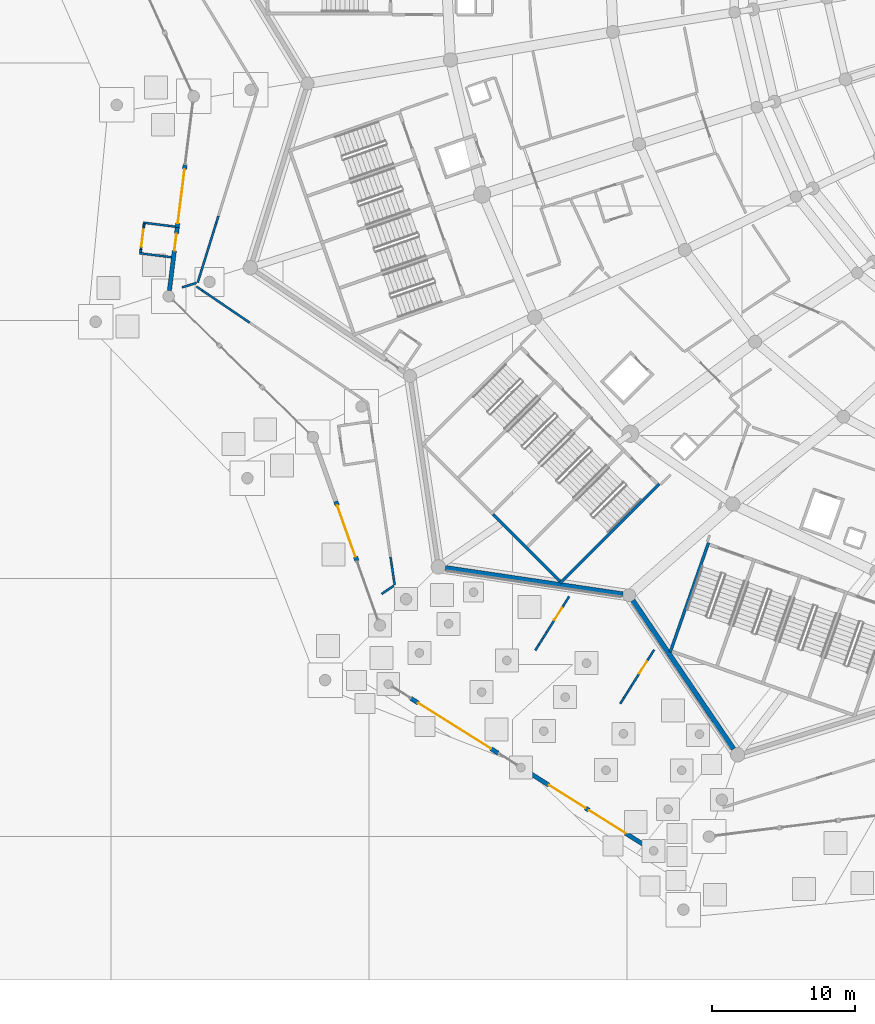
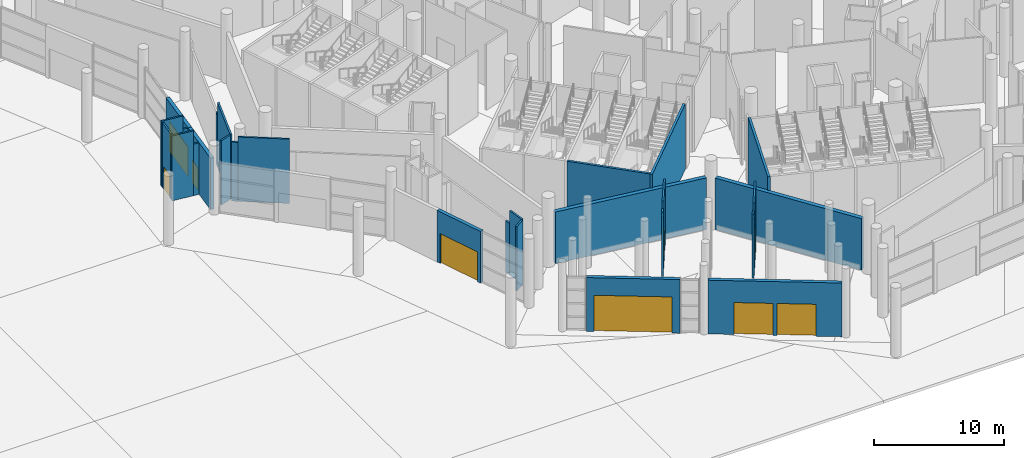
# One storey, part 100 of 255: 33 walls, 9 doors, 9 openings.
"""IFC4 building model written with IfcOpenShell, lengths in metres."""

from ifc_helpers import new_model, si_unit, direction, frame, frame_2d, origin, place, context, subcontext, project, spatial, rectangle, extrude, material, layer, layer_set, type_object, element, fill, save


model = new_model("IFC4")

# Units and contexts
model_context = context("Model", 3, precision=1e-05, world=origin(), true_north=direction((0.0, 1.0)))
body_context = subcontext(model_context, "Body", "Model", "MODEL_VIEW")
ifc_project = project(units=[si_unit("LENGTHUNIT", "METRE"), si_unit("AREAUNIT", "SQUARE_METRE"), si_unit("VOLUMEUNIT", "CUBIC_METRE"), si_unit("PLANEANGLEUNIT", "RADIAN"), si_unit("MASSUNIT", "GRAM", prefix="KILO")], contexts=[model_context])

# Site, building, storey
site_placement = place(None, origin())
site = spatial("IfcSite", under=ifc_project, at=site_placement, CompositionType="ELEMENT")
building_placement = place(site_placement, origin())
building = spatial("IfcBuilding", under=site, at=building_placement, Name="Meseta Stadium", CompositionType="ELEMENT")
storey_placement = place(building_placement, origin())
storey = spatial("IfcBuildingStorey", under=building, at=storey_placement, Name="L00", CompositionType="ELEMENT", Elevation=0.0)

# Walls
ifc_material_1 = material(Name="Concrete C40/50", Category="concrete")
ifc_layer_1 = layer(ifc_material_1, 0.199951171875)
ifc_layer_set_1 = layer_set([ifc_layer_1], Name="Core shaft wall 200")
wall_type_1 = type_object("IfcWallType", Name="Core shaft wall 200", PredefinedType="SHEAR", material=ifc_layer_set_1)
wall_1_placement = place(storey_placement, frame((-76.6884765625, -90.30517578125, 0.0), z_axis=(0.0, 0.0, 1.0), x_axis=(0.707106781187, 0.707106781187, 0.0)))
element("IfcWall", 1, at=wall_1_placement, inside=storey, type_object=wall_type_1, Name="Core 21 L00 stair wall B-side", PredefinedType="SHEAR", context=body_context, shape_type="SweptSolid", body=[
    extrude(rectangle(XDim=9.800048828125, YDim=0.199951171875, at=frame_2d((4.89990234375, 0.0))), origin(), (0.0, 0.0, 1.0), 6.14990234375),
])
wall_2_placement = place(storey_placement, frame((-81.355224609375, -85.496826171875, 0.0), z_axis=(0.0, 0.0, 1.0), x_axis=(0.707088285305, -0.707125276584, 0.0)))
element("IfcWall", 2, at=wall_2_placement, inside=storey, type_object=wall_type_1, Name="Core 21 L00 stair B outer end wall", PredefinedType="SHEAR", context=body_context, shape_type="SweptSolid", body=[
    extrude(rectangle(XDim=6.599853515625, YDim=0.199951171875, at=frame_2d((3.2998046875, 0.0))), origin(), (0.0, 0.0, 1.0), 6.14990234375),
])
wall_3_placement = place(storey_placement, frame((-68.998291015625, -95.136962890625, 0.0), z_axis=(0.0, 0.0, 1.0), x_axis=(0.330263153216, 0.943888896866, 0.0)))
element("IfcWall", 3, at=wall_3_placement, inside=storey, type_object=wall_type_1, Name="Core 22 L00 stair wall A-side", PredefinedType="SHEAR", context=body_context, shape_type="SweptSolid", body=[
    extrude(rectangle(XDim=8.099853515625, YDim=0.199951171875, at=frame_2d((4.0498046875, 0.0))), origin(), (0.0, 0.0, 1.0), 6.14990234375),
])

# Wall, opening, door
ifc_material_2 = material(Name="Precast concrete C40/50", Category="concrete")
ifc_layer_2 = layer(ifc_material_2, 0.300048828125)
ifc_layer_set_2 = layer_set([ifc_layer_2], Name="Gate facade panel wall 300")
wall_type_2 = type_object("IfcWallType", Name="Gate facade panel wall 300", PredefinedType="SOLIDWALL", material=ifc_layer_set_2)
wall_4_placement = place(storey_placement, frame((-80.9921875, -102.18115234375, 0.0), z_axis=(0.0, 0.0, 1.0), x_axis=(-0.846713800268, 0.532048626006, 0.0)))
wall_4 = element("IfcWall", 4, at=wall_4_placement, inside=storey, type_object=wall_type_2, Name="Gate 6 entrance wall", PredefinedType="SOLIDWALL", context=body_context, shape_type="SweptSolid", body=[
    extrude(rectangle(XDim=7.2001953125, YDim=0.300048828125, at=frame_2d((3.60009765625, 0.0))), origin(), (0.0, 0.0, 1.0), 5.050048828125),
])
opening_1_placement = place(wall_4_placement, frame((0.60009765625, 0.0, 0.0)))
opening_1 = element("IfcOpeningElement", 5, at=opening_1_placement, cuts=wall_4, Name="Opening D020", PredefinedType="OPENING", context=body_context, shape_type="SweptSolid", body=[
    extrude(rectangle(XDim=6.0, YDim=3.39990234375, at=frame_2d((3.0, 1.699951171875))), frame((0.0, 0.159912109375, 0.0), z_axis=(0.0, -1.0, 0.0), x_axis=(1.0, 0.0, 0.0)), (0.0, 0.0, 1.0), 0.320068359375),
])
ifc_material_3 = material(Name="Steel", Category="steel")
door_type_1 = type_object("IfcDoorType", Name="Main entrance door 6000x3400", OperationType="DOUBLE_DOOR_SINGLE_SWING", PredefinedType="DOOR", material=ifc_material_3)
door_1_placement = place(opening_1_placement, origin())
door_1 = element("IfcDoor", 6, at=door_1_placement, inside=storey, type_object=door_type_1, Name="Main entrance E6", OperationType="DOUBLE_DOOR_SINGLE_SWING", OverallHeight=3.39990234375, OverallWidth=6.0, PredefinedType="DOOR", context=body_context, shape_type="SweptSolid", body=[
    extrude(rectangle(XDim=6.0, YDim=3.39990234375, at=frame_2d((3.0, 1.699951171875))), frame((0.0, 0.02490234375, 0.0), z_axis=(0.0, -1.0, 0.0), x_axis=(1.0, 0.0, 0.0)), (0.0, 0.0, 1.0), 0.050048828125),
])
fill(opening_1, door_1)

# Wall, openings, doors
wall_5_placement = place(storey_placement, frame((-70.40771484375, -108.831787109375, 0.0), z_axis=(0.0, 0.0, 1.0), x_axis=(-0.846732336333, 0.532019126168, 0.0)))
wall_5 = element("IfcWall", 7, at=wall_5_placement, inside=storey, type_object=wall_type_2, Name="Gate 6 entrance wall", PredefinedType="SOLIDWALL", context=body_context, shape_type="SweptSolid", body=[
    extrude(rectangle(XDim=10.333740234375, YDim=0.300048828125, at=frame_2d((5.1669921875, 0.0))), origin(), (0.0, 0.0, 1.0), 5.050048828125),
])
opening_2_placement = place(wall_5_placement, frame((5.31689453125, 0.0, 0.0)))
opening_2 = element("IfcOpeningElement", 8, at=opening_2_placement, cuts=wall_5, Name="Opening D021", PredefinedType="OPENING", context=body_context, shape_type="SweptSolid", body=[
    extrude(rectangle(XDim=3.0, YDim=3.0, at=frame_2d((1.5, 1.5))), frame((0.0, 0.159912109375, 0.0), z_axis=(0.0, -1.0, 0.0), x_axis=(1.0, 0.0, 0.0)), (0.0, 0.0, 1.0), 0.320068359375),
])
opening_3_placement = place(wall_5_placement, frame((2.016845703125, 0.0, 0.0)))
opening_3 = element("IfcOpeningElement", 9, at=opening_3_placement, cuts=wall_5, Name="Opening D022", PredefinedType="OPENING", context=body_context, shape_type="SweptSolid", body=[
    extrude(rectangle(XDim=3.0, YDim=3.0, at=frame_2d((1.5, 1.5))), frame((0.0, 0.159912109375, 0.0), z_axis=(0.0, -1.0, 0.0), x_axis=(1.0, 0.0, 0.0)), (0.0, 0.0, 1.0), 0.320068359375),
])
ifc_material_4 = material(Name="Steel", Category="steel")
door_type_2 = type_object("IfcDoorType", Name="Pedestrian exit door 3000x3000", OperationType="DOUBLE_DOOR_SINGLE_SWING", PredefinedType="DOOR", material=ifc_material_4)
door_2_placement = place(opening_2_placement, origin())
door_2 = element("IfcDoor", 10, at=door_2_placement, inside=storey, type_object=door_type_2, Name="Pedestrian exit gate G6", OperationType="DOUBLE_DOOR_SINGLE_SWING", OverallHeight=3.0, OverallWidth=3.0, PredefinedType="DOOR", context=body_context, shape_type="SweptSolid", body=[
    extrude(rectangle(XDim=3.0, YDim=3.0, at=frame_2d((1.5, 1.5))), frame((0.0, 0.02490234375, 0.0), z_axis=(0.0, -1.0, 0.0), x_axis=(1.0, 0.0, 0.0)), (0.0, 0.0, 1.0), 0.050048828125),
])
fill(opening_2, door_2)
door_3_placement = place(opening_3_placement, origin())
door_3 = element("IfcDoor", 11, at=door_3_placement, inside=storey, type_object=door_type_2, Name="Pedestrian exit gate G6", OperationType="DOUBLE_DOOR_SINGLE_SWING", OverallHeight=3.0, OverallWidth=3.0, PredefinedType="DOOR", context=body_context, shape_type="SweptSolid", body=[
    extrude(rectangle(XDim=3.0, YDim=3.0, at=frame_2d((1.5, 1.5))), frame((0.0, 0.02490234375, 0.0), z_axis=(0.0, -1.0, 0.0), x_axis=(1.0, 0.0, 0.0)), (0.0, 0.0, 1.0), 0.050048828125),
])
fill(opening_3, door_3)

# Wall, opening, door
ifc_material_5 = material(Name="Masonry blockwork", Category="masonry")
ifc_layer_3 = layer(ifc_material_5, 0.14990234375)
ifc_layer_set_3 = layer_set([ifc_layer_3], Name="Partition 150")
wall_type_3 = type_object("IfcWallType", Name="Partition 150", PredefinedType="PARTITIONING", material=ifc_layer_set_3)
wall_6_placement = place(storey_placement, frame((-76.0458984375, -91.239013671875, 0.0), z_axis=(0.0, 0.0, 1.0), x_axis=(-0.531974180768, -0.846760574776, 0.0)))
wall_6 = element("IfcWall", 12, at=wall_6_placement, inside=storey, type_object=wall_type_3, Name="Partition L00 G6-L00-0-SecurityScreening-0", PredefinedType="PARTITIONING", context=body_context, shape_type="SweptSolid", body=[
    extrude(rectangle(XDim=2.96435546875, YDim=0.14990234375, at=frame_2d((1.482177734375, 0.0))), origin(), (0.0, 0.0, 1.0), 6.050048828125),
])
opening_4_placement = place(wall_6_placement, frame((0.949951171875, 0.0, 0.0)))
opening_4 = element("IfcOpeningElement", 13, at=opening_4_placement, cuts=wall_6, Name="Opening D527", PredefinedType="OPENING", context=body_context, shape_type="SweptSolid", body=[
    extrude(rectangle(XDim=1.0, YDim=2.10009765625, at=frame_2d((0.5, 1.050048828125))), frame((0.0, 0.0849609375, 0.0), z_axis=(0.0, -1.0, 0.0), x_axis=(1.0, 0.0, 0.0)), (0.0, 0.0, 1.0), 0.169921875),
])
ifc_material_6 = material(Name="Steel", Category="steel")
door_type_3 = type_object("IfcDoorType", Name="Fire door 1000x2100 EI2 60", OperationType="NOTDEFINED", PredefinedType="DOOR", material=ifc_material_6)
door_4_placement = place(opening_4_placement, origin())
door_4 = element("IfcDoor", 14, at=door_4_placement, inside=storey, type_object=door_type_3, Name="Door D527", OperationType="SINGLE_SWING_LEFT", OverallHeight=2.10009765625, OverallWidth=1.0, PredefinedType="DOOR", context=body_context, shape_type="SweptSolid", body=[
    extrude(rectangle(XDim=1.0, YDim=2.10009765625, at=frame_2d((0.5, 1.050048828125))), frame((0.0, 0.02490234375, 0.0), z_axis=(0.0, -1.0, 0.0), x_axis=(1.0, 0.0, 0.0)), (0.0, 0.0, 1.0), 0.050048828125),
])
fill(opening_4, door_4)

# Walls
wall_7_placement = place(storey_placement, frame((-77.622802734375, -93.7490234375, 0.0), z_axis=(0.0, 0.0, 1.0), x_axis=(-0.532040016941, -0.846719209876, 0.0)))
element("IfcWall", 15, at=wall_7_placement, inside=storey, type_object=wall_type_3, Name="Partition L00 G6-L00-0-SecurityScreening-0", PredefinedType="PARTITIONING", context=body_context, shape_type="SweptSolid", body=[
    extrude(rectangle(XDim=0.494140625, YDim=0.14990234375, at=frame_2d((0.2470703125, 0.0))), origin(), (0.0, 0.0, 1.0), 5.25),
])
wall_8_placement = place(storey_placement, frame((-77.8857421875, -94.16748046875, 0.0), z_axis=(0.0, 0.0, 1.0), x_axis=(-0.53226263383, -0.846579286676, 0.0)))
element("IfcWall", 16, at=wall_8_placement, inside=storey, type_object=wall_type_3, Name="Partition L00 G6-L00-0-SecurityScreening-0", PredefinedType="PARTITIONING", context=body_context, shape_type="SweptSolid", body=[
    extrude(rectangle(XDim=0.493896484375, YDim=0.14990234375, at=frame_2d((0.2470703125, 0.0))), origin(), (0.0, 0.0, 1.0), 5.25),
])
wall_9_placement = place(storey_placement, frame((-78.148681640625, -94.585693359375, 0.0), z_axis=(0.0, 0.0, 1.0), x_axis=(-0.532040016941, -0.846719209876, 0.0)))
element("IfcWall", 17, at=wall_9_placement, inside=storey, type_object=wall_type_3, Name="Partition L00 G6-L00-0-SecurityScreening-0", PredefinedType="PARTITIONING", context=body_context, shape_type="SweptSolid", body=[
    extrude(rectangle(XDim=0.494140625, YDim=0.14990234375, at=frame_2d((0.2470703125, 0.0))), origin(), (0.0, 0.0, 1.0), 6.050048828125),
])

# Wall, opening, door
wall_10_placement = place(storey_placement, frame((-71.69580078125, -97.473388671875, 0.0), z_axis=(0.0, 0.0, 1.0), x_axis=(0.5319961315, 0.846746783914, 0.0)))
wall_10 = element("IfcWall", 18, at=wall_10_placement, inside=storey, type_object=wall_type_3, Name="Partition L00 G6-L00-1-TicketHall-0", PredefinedType="PARTITIONING", context=body_context, shape_type="SweptSolid", body=[
    extrude(rectangle(XDim=2.964599609375, YDim=0.14990234375, at=frame_2d((1.482421875, 0.0))), origin(), (0.0, 0.0, 1.0), 6.050048828125),
])
opening_5_placement = place(wall_10_placement, frame((1.014404296875, 0.0, 0.0)))
opening_5 = element("IfcOpeningElement", 19, at=opening_5_placement, cuts=wall_10, Name="Opening D528", PredefinedType="OPENING", context=body_context, shape_type="SweptSolid", body=[
    extrude(rectangle(XDim=1.0, YDim=2.10009765625, at=frame_2d((0.5, 1.050048828125))), frame((0.0, 0.0849609375, 0.0), z_axis=(0.0, -1.0, 0.0), x_axis=(1.0, 0.0, 0.0)), (0.0, 0.0, 1.0), 0.169921875),
])
door_5_placement = place(opening_5_placement, origin())
door_5 = element("IfcDoor", 20, at=door_5_placement, inside=storey, type_object=door_type_3, Name="Door D528", OperationType="SINGLE_SWING_RIGHT", OverallHeight=2.10009765625, OverallWidth=1.0, PredefinedType="DOOR", context=body_context, shape_type="SweptSolid", body=[
    extrude(rectangle(XDim=1.0, YDim=2.10009765625, at=frame_2d((0.5, 1.050048828125))), frame((0.0, 0.02490234375, 0.0), z_axis=(0.0, -1.0, 0.0), x_axis=(1.0, 0.0, 0.0)), (0.0, 0.0, 1.0), 0.050048828125),
])
fill(opening_5, door_5)

# Walls
wall_11_placement = place(storey_placement, frame((-71.69580078125, -97.473388671875, 0.0), z_axis=(0.0, 0.0, 1.0), x_axis=(-0.53226263383, -0.846579286676, 0.0)))
element("IfcWall", 21, at=wall_11_placement, inside=storey, type_object=wall_type_3, Name="Partition L00 G6-L00-1-TicketHall-0", PredefinedType="PARTITIONING", context=body_context, shape_type="SweptSolid", body=[
    extrude(rectangle(XDim=0.493896484375, YDim=0.14990234375, at=frame_2d((0.2470703125, 0.0))), origin(), (0.0, 0.0, 1.0), 5.25),
])
wall_12_placement = place(storey_placement, frame((-71.958740234375, -97.8916015625, 0.0), z_axis=(0.0, 0.0, 1.0), x_axis=(-0.532040016941, -0.846719209876, 0.0)))
element("IfcWall", 22, at=wall_12_placement, inside=storey, type_object=wall_type_3, Name="Partition L00 G6-L00-1-TicketHall-0", PredefinedType="PARTITIONING", context=body_context, shape_type="SweptSolid", body=[
    extrude(rectangle(XDim=0.494140625, YDim=0.14990234375, at=frame_2d((0.2470703125, 0.0))), origin(), (0.0, 0.0, 1.0), 5.25),
])
wall_13_placement = place(storey_placement, frame((-72.2216796875, -98.31005859375, 0.0), z_axis=(0.0, 0.0, 1.0), x_axis=(-0.531908296505, -0.846801962745, 0.0)))
element("IfcWall", 23, at=wall_13_placement, inside=storey, type_object=wall_type_3, Name="Partition L00 G6-L00-1-TicketHall-0", PredefinedType="PARTITIONING", context=body_context, shape_type="SweptSolid", body=[
    extrude(rectangle(XDim=0.493896484375, YDim=0.14990234375, at=frame_2d((0.2470703125, 0.0))), origin(), (0.0, 0.0, 1.0), 6.050048828125),
])
wall_14_placement = place(storey_placement, frame((-100.520751953125, -64.68994140625, 0.0), z_axis=(0.0, 0.0, 1.0), x_axis=(-0.296730832925, -0.95496115774, 0.0)))
element("IfcWall", 24, at=wall_14_placement, inside=storey, type_object=wall_type_3, Name="Partition L00 L00-ring18-0", PredefinedType="PARTITIONING", context=body_context, shape_type="SweptSolid", body=[
    extrude(rectangle(XDim=0.486328125, YDim=0.14990234375, at=frame_2d((0.2431640625, 0.0))), origin(), (0.0, 0.0, 1.0), 4.85009765625),
])
wall_15_placement = place(storey_placement, frame((-100.6650390625, -65.154296875, 0.0), z_axis=(0.0, 0.0, 1.0), x_axis=(-0.296860778356, -0.954920770679, 0.0)))
element("IfcWall", 25, at=wall_15_placement, inside=storey, type_object=wall_type_3, Name="Partition L00 L00-ring18-0", PredefinedType="PARTITIONING", context=body_context, shape_type="SweptSolid", body=[
    extrude(rectangle(XDim=4.375244140625, YDim=0.14990234375, at=frame_2d((2.1875, 0.0))), origin(), (0.0, 0.0, 1.0), 6.050048828125),
])
wall_16_placement = place(storey_placement, frame((-102.05078125, -69.359619140625, 0.0), z_axis=(0.0, 0.0, 1.0), x_axis=(-0.954207458545, -0.299145660268, 0.0)))
element("IfcWall", 26, at=wall_16_placement, inside=storey, type_object=wall_type_3, Name="Partition L00 L00-ring18-0", PredefinedType="PARTITIONING", context=body_context, shape_type="SweptSolid", body=[
    extrude(rectangle(XDim=1.0537109375, YDim=0.14990234375, at=frame_2d((0.52685546875, 0.0))), origin(), (0.0, 0.0, 1.0), 6.050048828125),
])
wall_17_placement = place(storey_placement, frame((-102.05126953125, -69.61328125, 0.0), z_axis=(0.0, 0.0, 1.0), x_axis=(0.827646697141, -0.561249449632, 0.0)))
element("IfcWall", 27, at=wall_17_placement, inside=storey, type_object=wall_type_3, Name="Partition L00 L00-ring19-0", PredefinedType="PARTITIONING", context=body_context, shape_type="SweptSolid", body=[
    extrude(rectangle(XDim=0.49755859375, YDim=0.14990234375, at=frame_2d((0.248779296875, 0.0))), origin(), (0.0, 0.0, 1.0), 5.550048828125),
])
wall_18_placement = place(storey_placement, frame((-101.639404296875, -69.892578125, 0.0), z_axis=(0.0, 0.0, 1.0), x_axis=(0.82747475675, -0.561502918017, 0.0)))
element("IfcWall", 28, at=wall_18_placement, inside=storey, type_object=wall_type_3, Name="Partition L00 L00-ring19-0", PredefinedType="PARTITIONING", context=body_context, shape_type="SweptSolid", body=[
    extrude(rectangle(XDim=3.98095703125, YDim=0.14990234375, at=frame_2d((1.990478515625, 0.0))), origin(), (0.0, 0.0, 1.0), 6.050048828125),
])
wall_19_placement = place(storey_placement, frame((-88.51025390625, -88.48974609375, 0.0), z_axis=(0.0, 0.0, 1.0), x_axis=(0.146941800407, -0.98914513965, 0.0)))
element("IfcWall", 29, at=wall_19_placement, inside=storey, type_object=wall_type_3, Name="Partition L00 L00-ring19-0", PredefinedType="PARTITIONING", context=body_context, shape_type="SweptSolid", body=[
    extrude(rectangle(XDim=0.4951171875, YDim=0.14990234375, at=frame_2d((0.24755859375, 0.0))), origin(), (0.0, 0.0, 1.0), 4.85009765625),
])
wall_20_placement = place(storey_placement, frame((-88.4375, -88.9794921875, 0.0), z_axis=(0.0, 0.0, 1.0), x_axis=(0.146804847774, -0.989165474868, 0.0)))
element("IfcWall", 30, at=wall_20_placement, inside=storey, type_object=wall_type_3, Name="Partition L00 L00-ring19-0", PredefinedType="PARTITIONING", context=body_context, shape_type="SweptSolid", body=[
    extrude(rectangle(XDim=1.485107421875, YDim=0.14990234375, at=frame_2d((0.74267578125, 0.0))), origin(), (0.0, 0.0, 1.0), 6.050048828125),
])
wall_21_placement = place(storey_placement, frame((-88.288330078125, -90.4951171875, 0.0), z_axis=(0.0, 0.0, 1.0), x_axis=(-0.828748465166, -0.559621283981, 0.0)))
element("IfcWall", 31, at=wall_21_placement, inside=storey, type_object=wall_type_3, Name="Partition L00 L00-ring19-0", PredefinedType="PARTITIONING", context=body_context, shape_type="SweptSolid", body=[
    extrude(rectangle(XDim=1.016845703125, YDim=0.14990234375, at=frame_2d((0.50830078125, 0.0))), origin(), (0.0, 0.0, 1.0), 6.050048828125),
])
wall_22_placement = place(storey_placement, frame((-103.800537109375, -67.569091796875, 0.0), z_axis=(0.0, 0.0, 1.0), x_axis=(-0.992252817521, 0.124235043856, 0.0)))
element("IfcWall", 32, at=wall_22_placement, inside=storey, type_object=wall_type_3, Name="Partition L00 L00-ring18-0 vestibule", PredefinedType="PARTITIONING", context=body_context, shape_type="SweptSolid", body=[
    extrude(rectangle(XDim=0.449951171875, YDim=0.14990234375, at=frame_2d((0.22509765625, 0.0))), origin(), (0.0, 0.0, 1.0), 4.85009765625),
])
wall_23_placement = place(storey_placement, frame((-104.2470703125, -67.51318359375, 0.0), z_axis=(0.0, 0.0, 1.0), x_axis=(-0.992269528002, 0.124101506031, 0.0)))
element("IfcWall", 33, at=wall_23_placement, inside=storey, type_object=wall_type_3, Name="Partition L00 L00-ring18-0 vestibule", PredefinedType="PARTITIONING", context=body_context, shape_type="SweptSolid", body=[
    extrude(rectangle(XDim=1.800048828125, YDim=0.14990234375, at=frame_2d((0.89990234375, 0.0))), origin(), (0.0, 0.0, 1.0), 6.10009765625),
])
wall_24_placement = place(storey_placement, frame((-103.533447265625, -65.435791015625, 0.0), z_axis=(0.0, 0.0, 1.0), x_axis=(-0.992252817521, 0.124235043856, 0.0)))
element("IfcWall", 34, at=wall_24_placement, inside=storey, type_object=wall_type_3, Name="Partition L00 L00-ring18-0 vestibule", PredefinedType="PARTITIONING", context=body_context, shape_type="SweptSolid", body=[
    extrude(rectangle(XDim=0.449951171875, YDim=0.14990234375, at=frame_2d((0.22509765625, 0.0))), origin(), (0.0, 0.0, 1.0), 4.85009765625),
])
wall_25_placement = place(storey_placement, frame((-103.97998046875, -65.3798828125, 0.0), z_axis=(0.0, 0.0, 1.0), x_axis=(-0.992269528002, 0.124101506031, 0.0)))
element("IfcWall", 35, at=wall_25_placement, inside=storey, type_object=wall_type_3, Name="Partition L00 L00-ring18-0 vestibule", PredefinedType="PARTITIONING", context=body_context, shape_type="SweptSolid", body=[
    extrude(rectangle(XDim=1.800048828125, YDim=0.14990234375, at=frame_2d((0.89990234375, 0.0))), origin(), (0.0, 0.0, 1.0), 6.10009765625),
])
wall_26_placement = place(storey_placement, frame((-105.94921875, -67.224609375, 0.0), z_axis=(0.0, 0.0, 1.0), x_axis=(0.123283542659, 0.992371486949, 0.0)))
element("IfcWall", 36, at=wall_26_placement, inside=storey, type_object=wall_type_3, Name="Partition L00 L00-ring18-0 vestibule", PredefinedType="PARTITIONING", context=body_context, shape_type="SweptSolid", body=[
    extrude(rectangle(XDim=0.199951171875, YDim=0.14990234375, at=frame_2d((0.10009765625, 0.0))), origin(), (0.0, 0.0, 1.0), 6.10009765625),
])

# Wall, opening, door
wall_27_placement = place(storey_placement, frame((-105.924560546875, -67.026123046875, 0.0), z_axis=(0.0, 0.0, 1.0), x_axis=(0.124203749421, 0.99225673524, 0.0)))
wall_27 = element("IfcWall", 37, at=wall_27_placement, inside=storey, type_object=wall_type_3, Name="Partition L00 L00-ring18-0 vestibule", PredefinedType="PARTITIONING", context=body_context, shape_type="SweptSolid", body=[
    extrude(rectangle(XDim=1.60009765625, YDim=0.14990234375, at=frame_2d((0.800048828125, 0.0))), origin(), (0.0, 0.0, 1.0), 6.10009765625),
])
opening_6_placement = place(wall_27_placement, frame((0.199951171875, 0.0, 0.0)))
opening_6 = element("IfcOpeningElement", 38, at=opening_6_placement, cuts=wall_27, Name="Opening D880", PredefinedType="OPENING", context=body_context, shape_type="SweptSolid", body=[
    extrude(rectangle(XDim=1.199951171875, YDim=2.10009765625, at=frame_2d((0.60009765625, 1.050048828125))), frame((0.0, 0.0849609375, 0.0), z_axis=(0.0, -1.0, 0.0), x_axis=(1.0, 0.0, 0.0)), (0.0, 0.0, 1.0), 0.169921875),
])
ifc_material_7 = material(Name="Steel", Category="steel")
door_type_4 = type_object("IfcDoorType", Name="Fire door 1200x2100 EI2 60", OperationType="NOTDEFINED", PredefinedType="DOOR", material=ifc_material_7)
door_6_placement = place(opening_6_placement, origin())
door_6 = element("IfcDoor", 39, at=door_6_placement, inside=storey, type_object=door_type_4, Name="Vestibule door L00 L00-ring18-0", OperationType="SINGLE_SWING_LEFT", OverallHeight=2.10009765625, OverallWidth=1.199951171875, PredefinedType="DOOR", context=body_context, shape_type="SweptSolid", body=[
    extrude(rectangle(XDim=1.199951171875, YDim=2.10009765625, at=frame_2d((0.60009765625, 1.050048828125))), frame((0.0, 0.02490234375, 0.0), z_axis=(0.0, -1.0, 0.0), x_axis=(1.0, 0.0, 0.0)), (0.0, 0.0, 1.0), 0.050048828125),
])
fill(opening_6, door_6)

# Walls
wall_28_placement = place(storey_placement, frame((-105.725830078125, -65.4384765625, 0.0), z_axis=(0.0, 0.0, 1.0), x_axis=(0.124485347491, 0.99222144618, 0.0)))
element("IfcWall", 40, at=wall_28_placement, inside=storey, type_object=wall_type_3, Name="Partition L00 L00-ring18-0 vestibule", PredefinedType="PARTITIONING", context=body_context, shape_type="SweptSolid", body=[
    extrude(rectangle(XDim=0.199951171875, YDim=0.14990234375, at=frame_2d((0.10009765625, 0.0))), origin(), (0.0, 0.0, 1.0), 6.10009765625),
])
ifc_material_8 = material(Name="White precast concrete C40/50", Category="concrete")
ifc_layer_4 = layer(ifc_material_8, 0.35009765625)
ifc_layer_set_4 = layer_set([ifc_layer_4], Name="Pleated panel wall 350 gate")
wall_type_4 = type_object("IfcWallType", Name="Pleated panel wall 350 gate", PredefinedType="SOLIDWALL", material=ifc_layer_set_4)
wall_29_placement = place(storey_placement, frame((-72.30126953125, -91.084716796875, 0.0), z_axis=(0.0, 0.0, 1.0), x_axis=(-0.989159318747, 0.14684632149, 0.0)))
element("IfcWall", 41, at=wall_29_placement, inside=storey, type_object=wall_type_4, Name="Pleated facade panel L00 F40", PredefinedType="SOLIDWALL", context=body_context, shape_type="SweptSolid", body=[
    extrude(rectangle(XDim=12.51416015625, YDim=0.35009765625, at=frame_2d((6.257080078125, 0.0))), origin(), (0.0, 0.0, 1.0), 4.85009765625),
])
wall_30_placement = place(storey_placement, frame((-64.578125, -101.87744140625, 0.0), z_axis=(0.0, 0.0, 1.0), x_axis=(-0.561493784496, 0.827480954447, 0.0)))
element("IfcWall", 42, at=wall_30_placement, inside=storey, type_object=wall_type_4, Name="Pleated facade panel L00 F41", PredefinedType="SOLIDWALL", context=body_context, shape_type="SweptSolid", body=[
    extrude(rectangle(XDim=12.51318359375, YDim=0.35009765625, at=frame_2d((6.256591796875, 0.0))), origin(), (0.0, 0.0, 1.0), 4.85009765625),
])

# Wall, opening, door
ifc_material_9 = material(Name="Precast concrete C40/50", Category="concrete")
ifc_layer_5 = layer(ifc_material_9, 0.300048828125)
ifc_layer_set_5 = layer_set([ifc_layer_5], Name="Ring facade panel wall 300")
wall_type_5 = type_object("IfcWallType", Name="Ring facade panel wall 300", PredefinedType="SOLIDWALL", material=ifc_layer_set_5)
wall_31_placement = place(storey_placement, frame((-103.39013671875, -65.497314453125, 0.0), z_axis=(0.0, 0.0, 1.0), x_axis=(0.124123512645, 0.992266775423, 0.0)))
wall_31 = element("IfcWall", 43, at=wall_31_placement, inside=storey, type_object=wall_type_5, Name="Ring facade panel wall F37", PredefinedType="SOLIDWALL", context=body_context, shape_type="SweptSolid", body=[
    extrude(rectangle(XDim=4.39990234375, YDim=0.300048828125, at=frame_2d((2.199951171875, 0.0))), origin(), (0.0, 0.0, 1.0), 4.85009765625),
])
opening_7_placement = place(wall_31_placement, frame((0.300048828125, 0.0, 0.0)))
opening_7 = element("IfcOpeningElement", 44, at=opening_7_placement, cuts=wall_31, Name="Opening D959", PredefinedType="OPENING", context=body_context, shape_type="SweptSolid", body=[
    extrude(rectangle(XDim=3.800048828125, YDim=2.800048828125, at=frame_2d((1.89990234375, 1.39990234375))), frame((0.0, 0.159912109375, 0.0), z_axis=(0.0, -1.0, 0.0), x_axis=(1.0, 0.0, 0.0)), (0.0, 0.0, 1.0), 0.320068359375),
])
ifc_material_10 = material(Name="Steel", Category="steel")
door_type_5 = type_object("IfcDoorType", Name="Final exit door 3800x2800", OperationType="DOUBLE_DOOR_SINGLE_SWING", PredefinedType="DOOR", material=ifc_material_10)
door_7_placement = place(opening_7_placement, origin())
door_7 = element("IfcDoor", 45, at=door_7_placement, inside=storey, type_object=door_type_5, Name="Final exit F24", OperationType="DOUBLE_DOOR_SINGLE_SWING", OverallHeight=2.800048828125, OverallWidth=3.800048828125, PredefinedType="DOOR", context=body_context, shape_type="SweptSolid", body=[
    extrude(rectangle(XDim=3.800048828125, YDim=2.800048828125, at=frame_2d((1.89990234375, 1.39990234375))), frame((0.0, 0.02490234375, 0.0), z_axis=(0.0, -1.0, 0.0), x_axis=(1.0, 0.0, 0.0)), (0.0, 0.0, 1.0), 0.050048828125),
])
fill(opening_7, door_7)

wall_32_placement = place(storey_placement, frame((-103.940185546875, -69.894775390625, 0.0), z_axis=(0.0, 0.0, 1.0), x_axis=(0.124116096768, 0.992267703054, 0.0)))
wall_32 = element("IfcWall", 46, at=wall_32_placement, inside=storey, type_object=wall_type_5, Name="Ring store panel wall F37b", PredefinedType="SOLIDWALL", context=body_context, shape_type="SweptSolid", body=[
    extrude(rectangle(XDim=4.431640625, YDim=0.300048828125, at=frame_2d((2.2158203125, 0.0))), origin(), (0.0, 0.0, 1.0), 4.85009765625),
])
opening_8_placement = place(wall_32_placement, frame((2.800048828125, 0.0, 0.0)))
opening_8 = element("IfcOpeningElement", 47, at=opening_8_placement, cuts=wall_32, Name="Opening D630", PredefinedType="OPENING", context=body_context, shape_type="SweptSolid", body=[
    extrude(rectangle(XDim=1.199951171875, YDim=2.10009765625, at=frame_2d((0.60009765625, 1.050048828125))), frame((0.0, 0.159912109375, 0.0), z_axis=(0.0, -1.0, 0.0), x_axis=(1.0, 0.0, 0.0)), (0.0, 0.0, 1.0), 0.320068359375),
])
door_8_placement = place(opening_8_placement, origin())
door_8 = element("IfcDoor", 48, at=door_8_placement, inside=storey, type_object=door_type_4, Name="Door D630", OperationType="SINGLE_SWING_RIGHT", OverallHeight=2.10009765625, OverallWidth=1.199951171875, PredefinedType="DOOR", context=body_context, shape_type="SweptSolid", body=[
    extrude(rectangle(XDim=1.199951171875, YDim=2.10009765625, at=frame_2d((0.60009765625, 1.050048828125))), frame((0.0, 0.02490234375, 0.0), z_axis=(0.0, -1.0, 0.0), x_axis=(1.0, 0.0, 0.0)), (0.0, 0.0, 1.0), 0.050048828125),
])
fill(opening_8, door_8)

wall_33_placement = place(storey_placement, frame((-90.85302734375, -88.7568359375, 0.0), z_axis=(0.0, 0.0, 1.0), x_axis=(-0.334859697206, 0.942267999662, 0.0)))
wall_33 = element("IfcWall", 49, at=wall_33_placement, inside=storey, type_object=wall_type_5, Name="Ring facade panel wall F39", PredefinedType="SOLIDWALL", context=body_context, shape_type="SweptSolid", body=[
    extrude(rectangle(XDim=4.39990234375, YDim=0.300048828125, at=frame_2d((2.199951171875, 0.0))), origin(), (0.0, 0.0, 1.0), 4.85009765625),
])
opening_9_placement = place(wall_33_placement, frame((0.300048828125, 0.0, 0.0)))
opening_9 = element("IfcOpeningElement", 50, at=opening_9_placement, cuts=wall_33, Name="Opening D961", PredefinedType="OPENING", context=body_context, shape_type="SweptSolid", body=[
    extrude(rectangle(XDim=3.800048828125, YDim=2.800048828125, at=frame_2d((1.89990234375, 1.39990234375))), frame((0.0, 0.159912109375, 0.0), z_axis=(0.0, -1.0, 0.0), x_axis=(1.0, 0.0, 0.0)), (0.0, 0.0, 1.0), 0.320068359375),
])
door_9_placement = place(opening_9_placement, origin())
door_9 = element("IfcDoor", 51, at=door_9_placement, inside=storey, type_object=door_type_5, Name="Final exit F26", OperationType="DOUBLE_DOOR_SINGLE_SWING", OverallHeight=2.800048828125, OverallWidth=3.800048828125, PredefinedType="DOOR", context=body_context, shape_type="SweptSolid", body=[
    extrude(rectangle(XDim=3.800048828125, YDim=2.800048828125, at=frame_2d((1.89990234375, 1.39990234375))), frame((0.0, 0.02490234375, 0.0), z_axis=(0.0, -1.0, 0.0), x_axis=(1.0, 0.0, 0.0)), (0.0, 0.0, 1.0), 0.050048828125),
])
fill(opening_9, door_9)

save(model, "model.ifc")
